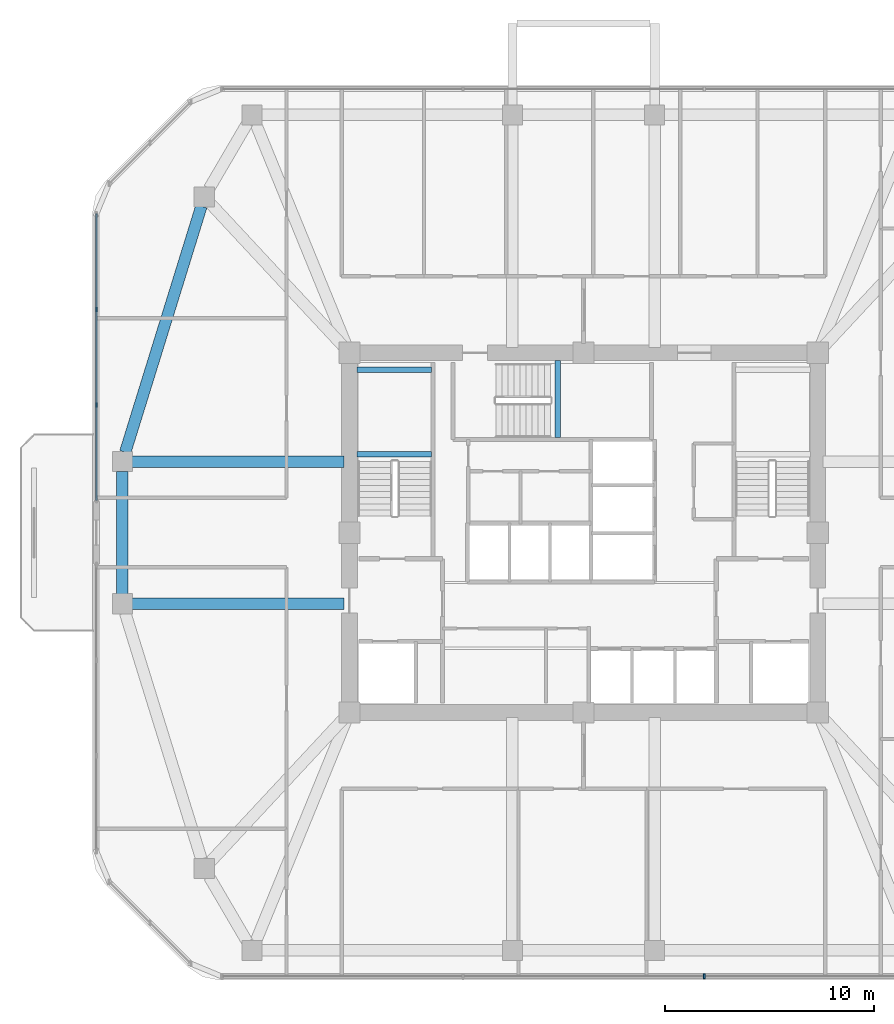
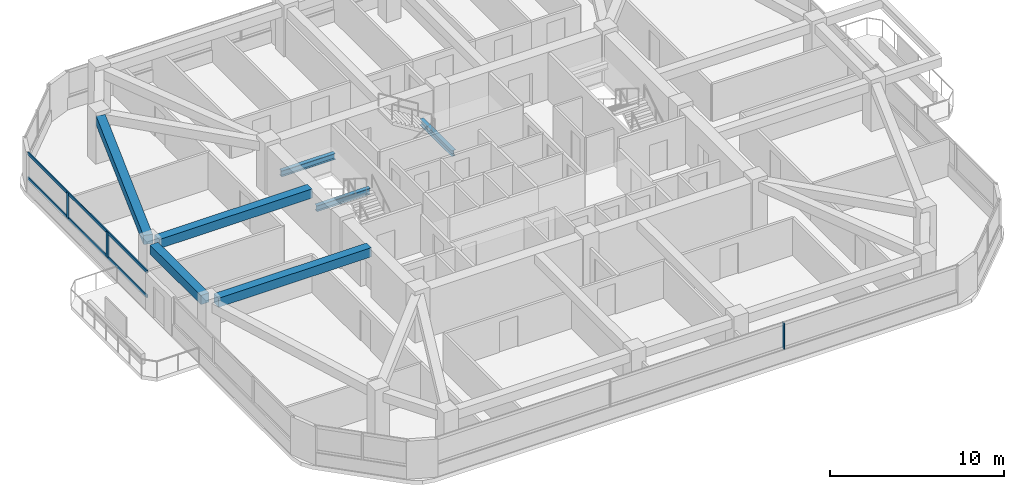
# One storey, part 3 of 13: 7 beams, 5 members, 2 elements without a shape of their own.
"""IFC4 building model written with IfcOpenShell, lengths in metres."""

from ifc_helpers import new_model, si_unit, derived_unit, direction, frame, origin, origin_2d, place, context, subcontext, project, spatial, rectangle, i_section, extrude, material, material_profile, profile_set, type_object, element, aggregate, save


model = new_model("IFC4")

# Units and contexts
model_context = context("Model", 3, precision=1e-05, world=origin(), true_north=direction((0.0, 1.0)))
body_context = subcontext(model_context, "Body", "Model", "MODEL_VIEW")
ifc_project = project(units=[si_unit("LENGTHUNIT", "METRE"), si_unit("AREAUNIT", "SQUARE_METRE"), si_unit("VOLUMEUNIT", "CUBIC_METRE"), si_unit("PLANEANGLEUNIT", "RADIAN"), si_unit("MASSUNIT", "GRAM", prefix="KILO"), derived_unit("THERMALTRANSMITTANCEUNIT", [(si_unit("POWERUNIT", "WATT"), 1), (si_unit("LENGTHUNIT", "METRE"), -2), (si_unit("THERMODYNAMICTEMPERATUREUNIT", "KELVIN"), -1)])], contexts=[model_context])

# Site, building, storey
site_placement = place(None, origin())
site = spatial("IfcSite", under=ifc_project, at=site_placement, CompositionType="ELEMENT")
building_placement = place(site_placement, origin())
building = spatial("IfcBuilding", under=site, at=building_placement, Name="Koralith Skygarden Medical Center", CompositionType="ELEMENT")
storey_placement = place(building_placement, frame((0.0, 0.0, 156.419921875)))
storey = spatial("IfcBuildingStorey", under=building, at=storey_placement, Name="L40", CompositionType="ELEMENT", Elevation=156.419921875)

# Curtain wall, member
ifc_material_1 = material(Name="Clear Laminated Glass", Category="glass")
curtain_wall_type = type_object("IfcCurtainWallType", Name="CW-4 Zone 3 Waist High-Wind Curtain Wall", PredefinedType="NOTDEFINED", material=ifc_material_1)
curtain_wall_1_placement = place(storey_placement, origin())
curtain_wall_1 = element("IfcCurtainWall", 1, at=curtain_wall_1_placement, inside=storey, type_object=curtain_wall_type, Name="Curtain Wall CW-L40-S", PredefinedType="NOTDEFINED")
ifc_material_2 = material(Name="Aluminium 6063-T6", Category="aluminium")
ifc_material_profile_1 = material_profile(ifc_material_2, rectangle(XDim=0.076904296875, YDim=0.22998046875, at=origin_2d()), Name="MUL77X230")
ifc_profile_set_1 = profile_set([ifc_material_profile_1], Name="Aluminium 6063-T6")
member_type_1 = type_object("IfcMemberType", Name="CW-4 Extruded Mullion 77x230", PredefinedType="MULLION", material=ifc_profile_set_1)
member_1_placement = place(storey_placement, frame((42.77587890625, 4.679931640625, 0.85009765625), z_axis=(0.0, 0.0, 1.0), x_axis=(1.0, 0.0, 0.0)))
member_1 = element("IfcMember", 2, at=member_1_placement, type_object=member_type_1, Name="CW-L40-S Mullion 3", PredefinedType="MULLION", context=body_context, shape_type="SweptSolid", body=[
    extrude(rectangle(XDim=0.076904296875, YDim=0.22998046875, at=origin_2d()), origin(), (0.0, 0.0, 1.0), 1.820068359375),
])
aggregate(curtain_wall_1, [member_1])

# Curtain wall, members
curtain_wall_2_placement = place(storey_placement, origin())
curtain_wall_2 = element("IfcCurtainWall", 3, at=curtain_wall_2_placement, inside=storey, type_object=curtain_wall_type, Name="Curtain Wall CW-L40-W-L", PredefinedType="NOTDEFINED")
member_2_placement = place(storey_placement, frame((13.696044921875, 36.576904296875, 0.85009765625), z_axis=(0.0, 0.0, 1.0), x_axis=(1.0, 0.0, 0.0)))
member_2 = element("IfcMember", 4, at=member_2_placement, type_object=member_type_1, Name="CW-L40-W-L Mullion 2", PredefinedType="MULLION", context=body_context, shape_type="SweptSolid", body=[
    extrude(rectangle(XDim=0.076904296875, YDim=0.22998046875, at=origin_2d()), origin(), (0.0, 0.0, 1.0), 1.820068359375),
])
member_3_placement = place(storey_placement, frame((13.696044921875, 32.008056640625, 0.85009765625), z_axis=(0.0, 0.0, 1.0), x_axis=(1.0, 0.0, 0.0)))
member_3 = element("IfcMember", 5, at=member_3_placement, type_object=member_type_1, Name="CW-L40-W-L Mullion 3", PredefinedType="MULLION", context=body_context, shape_type="SweptSolid", body=[
    extrude(rectangle(XDim=0.076904296875, YDim=0.22998046875, at=origin_2d()), origin(), (0.0, 0.0, 1.0), 1.820068359375),
])
ifc_material_profile_2 = material_profile(ifc_material_2, rectangle(XDim=0.072021484375, YDim=0.20703125, at=origin_2d()), Name="TRN72X207")
ifc_profile_set_2 = profile_set([ifc_material_profile_2], Name="Aluminium 6063-T6")
member_type_2 = type_object("IfcMemberType", Name="CW-4 Thermal Transom 72x207", PredefinedType="USERDEFINED", material=ifc_profile_set_2)
member_4_placement = place(storey_placement, frame((13.696044921875, 41.14501953125, 0.900146484375), z_axis=(0.0, -1.0, 0.0), x_axis=(1.0, 0.0, 0.0)))
member_4 = element("IfcMember", 6, at=member_4_placement, type_object=member_type_2, Name="CW-L40-W-L Transom 1", ObjectType="TRANSOM", PredefinedType="USERDEFINED", context=body_context, shape_type="SweptSolid", body=[
    extrude(rectangle(XDim=0.072021484375, YDim=0.20703125, at=origin_2d()), origin(), (0.0, 0.0, 1.0), 13.705078125),
])
member_5_placement = place(storey_placement, frame((13.696044921875, 41.14501953125, 2.6201171875), z_axis=(0.0, -1.0, 0.0), x_axis=(1.0, 0.0, 0.0)))
member_5 = element("IfcMember", 7, at=member_5_placement, type_object=member_type_2, Name="CW-L40-W-L Transom 2", ObjectType="TRANSOM", PredefinedType="USERDEFINED", context=body_context, shape_type="SweptSolid", body=[
    extrude(rectangle(XDim=0.072021484375, YDim=0.20703125, at=origin_2d()), origin(), (0.0, 0.0, 1.0), 13.705078125),
])
aggregate(curtain_wall_2, [member_2, member_3, member_4, member_5])

# Beams
ifc_material_3 = material(Name="Steel ASTM A992 Grade 50", Category="steel")
ifc_material_profile_3 = material_profile(ifc_material_3, i_section(OverallWidth=0.260009765625, OverallDepth=0.4150390625, WebThickness=0.010009765625, FlangeThickness=0.016845703125, at=origin_2d()), Name="W16X67")
ifc_profile_set_3 = profile_set([ifc_material_profile_3], Name="Steel ASTM A992 Grade 50")
beam_type_1 = type_object("IfcBeamType", Name="Clinical Floor Joist W16X67", PredefinedType="JOIST", material=ifc_profile_set_3)
for number, where, z_axis, x_axis, name in (
    (8, (26.155029296875, 29.659912109375, 1.39208984375), (1.0, 0.0, 0.0), (0.0, 1.0, 0.0), "L40 Stair ST1 Half-Landing Support Beam 1A"),
    (9, (26.155029296875, 33.699951171875, 1.39208984375), (1.0, 0.0, 0.0), (0.0, 1.0, 0.0), "L40 Stair ST1 Half-Landing Support Beam 1B"),
):
    element("IfcBeam", number, at=place(storey_placement, frame(where, z_axis=z_axis, x_axis=x_axis)), inside=storey, type_object=beam_type_1, Name=name, PredefinedType="JOIST", context=body_context, shape_type="SweptSolid", body=[
        extrude(i_section(OverallWidth=0.260009765625, OverallDepth=0.4150390625, WebThickness=0.010009765625, FlangeThickness=0.016845703125, at=origin_2d()), origin(), (0.0, 0.0, 1.0), 3.56494140625),
    ])
beam_1_placement = place(storey_placement, frame((35.760009765625, 30.43994140625, 1.39208984375), z_axis=(0.0, 1.0, 0.0), x_axis=(-1.0, 0.0, 0.0)))
element("IfcBeam", 10, at=beam_1_placement, inside=storey, type_object=beam_type_1, Name="L40 Stair ST3 Half-Landing Support Beam 1A", PredefinedType="JOIST", context=body_context, shape_type="SweptSolid", body=[
    extrude(i_section(OverallWidth=0.260009765625, OverallDepth=0.4150390625, WebThickness=0.010009765625, FlangeThickness=0.016845703125, at=origin_2d()), origin(), (0.0, 0.0, 1.0), 3.705078125),
])
ifc_material_4 = material(Name="Concrete C45/55", Category="concrete")
ifc_material_profile_4 = material_profile(ifc_material_4, rectangle(XDim=0.550048828125, YDim=0.639892578125, at=origin_2d()), Name="RCB550X640")
ifc_profile_set_4 = profile_set([ifc_material_profile_4], Name="Concrete C45/55")
beam_type_2 = type_object("IfcBeamType", Name="Radial Collector Beam RCB550X640", PredefinedType="BEAM", material=ifc_profile_set_4)
for number, where, z_axis, x_axis, name in (
    (11, (25.550048828125, 22.5, 3.0), (-1.0, 0.0, 0.0), (0.0, -1.0, 0.0), "L40 Radial Collector Beam RB-01"),
    (12, (25.550048828125, 29.300048828125, 3.0), (-1.0, 0.0, 0.0), (0.0, -1.0, 0.0), "L40 Radial Collector Beam RB-16"),
):
    element("IfcBeam", number, at=place(storey_placement, frame(where, z_axis=z_axis, x_axis=x_axis)), inside=storey, type_object=beam_type_2, Name=name, PredefinedType="BEAM", context=body_context, shape_type="SweptSolid", body=[
        extrude(rectangle(XDim=0.550048828125, YDim=0.639892578125, at=origin_2d()), origin(), (0.0, 0.0, 1.0), 10.14404296875),
    ])
ifc_material_profile_5 = material_profile(ifc_material_4, rectangle(XDim=0.550048828125, YDim=0.639892578125, at=origin_2d()), Name="RCB550X640")
ifc_profile_set_5 = profile_set([ifc_material_profile_5], Name="Concrete C45/55")
beam_type_3 = type_object("IfcBeamType", Name="Zone 2-3 Spandrel Beam RCB550X640", PredefinedType="SPANDREL", material=ifc_profile_set_5)
beam_2_placement = place(storey_placement, frame((18.717041015625, 41.510986328125, 3.0), z_axis=(-0.295793585147, -0.955251880389, 0.0), x_axis=(0.955251880389, -0.295793585147, 0.0)))
element("IfcBeam", 13, at=beam_2_placement, inside=storey, type_object=beam_type_3, Name="L40 Perimeter Spandrel Beam SP-15", PredefinedType="SPANDREL", context=body_context, shape_type="SweptSolid", body=[
    extrude(rectangle(XDim=0.550048828125, YDim=0.639892578125, at=origin_2d()), origin(), (0.0, 0.0, 1.0), 12.31298828125),
])
beam_3_placement = place(storey_placement, frame((14.93603515625, 28.830078125, 3.0), z_axis=(0.0, -1.0, 0.0), x_axis=(1.0, 0.0, 0.0)))
element("IfcBeam", 14, at=beam_3_placement, inside=storey, type_object=beam_type_3, Name="L40 Perimeter Spandrel Beam SP-16", PredefinedType="SPANDREL", context=body_context, shape_type="SweptSolid", body=[
    extrude(rectangle(XDim=0.550048828125, YDim=0.639892578125, at=origin_2d()), origin(), (0.0, 0.0, 1.0), 5.860107421875),
])

save(model, "model.ifc")
